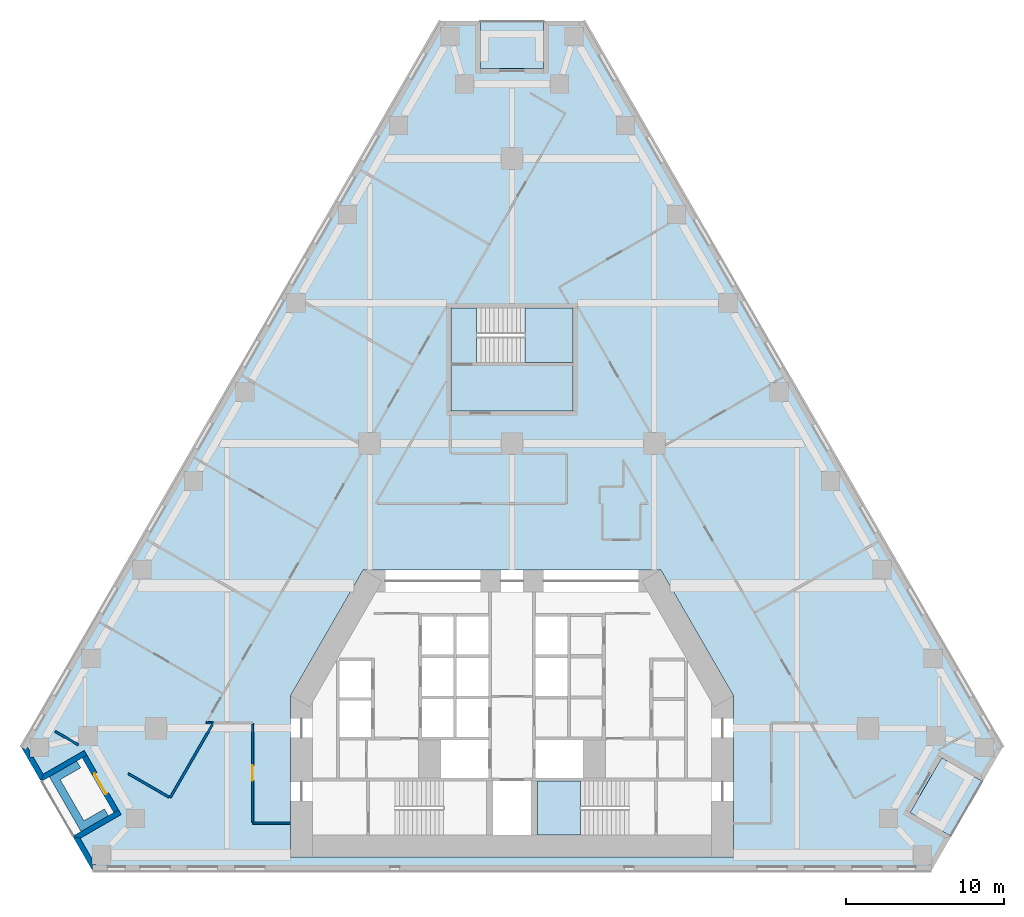
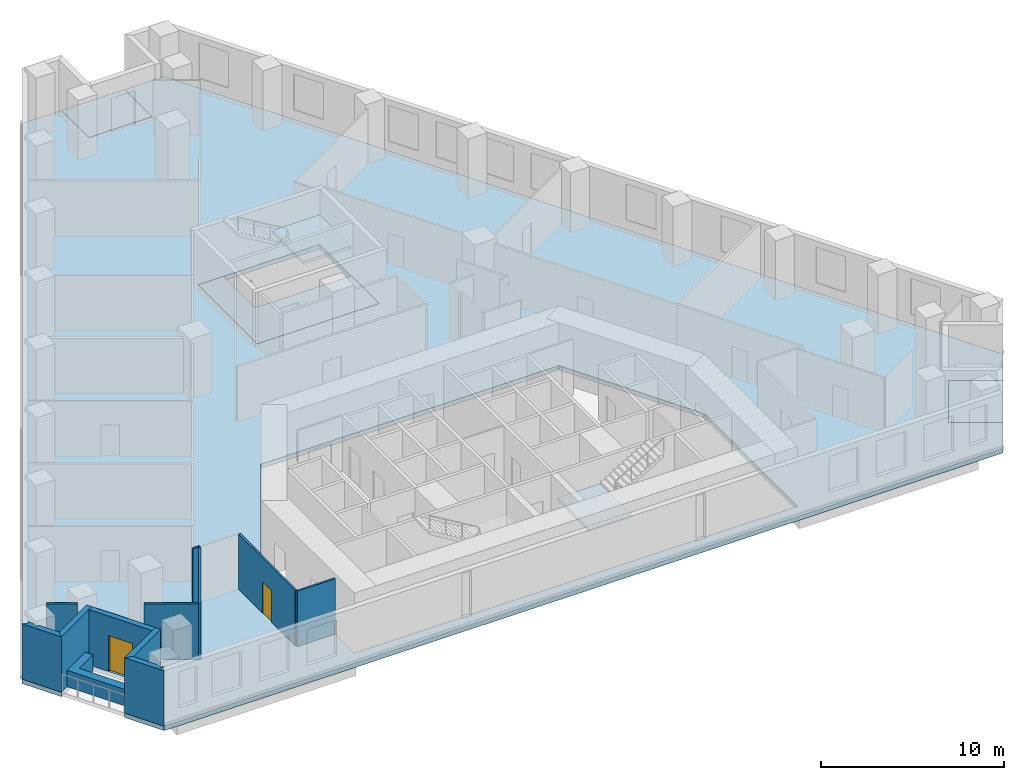
# One storey, part 2 of 9: 12 walls, 6 slabs, 2 doors, 2 openings, 2 elements without a shape of their own.
"""IFC4 building model written with IfcOpenShell, lengths in metres."""

import ifcopenshell
import ifcopenshell.guid

model = None  # the IFC model being written
_history = None  # IfcOwnerHistory: only IFC2X3 demands one
_inside = {}  # id of a spatial element -> (the spatial element, [elements in it])
_under = {}  # id of a project, library or spatial element -> (it, [spatial elements below it])
_declared = {}  # id of a project -> (the project, [libraries it declares])
_typed = {}  # id of a type object -> (the type object, [elements of that type])
_made_of = {}  # id of a material, layer set ... -> (it, [elements and type objects made of it])


def new_model(schema):
    """Start an empty IFC model of exactly this schema.

    Asked for "IFC4X3", IfcOpenShell would pick the latest addendum, in which some entities
    have other attributes; the version numbers below select the first issue.
    IFC2X3 requires an IfcOwnerHistory on every rooted entity: one is made here for all.
    """
    global model, _history
    if schema == "IFC4X3":
        model = ifcopenshell.file(schema_version=(4, 3, 0, 0))
    else:
        model = ifcopenshell.file(schema=schema)
    _inside.clear()
    _under.clear()
    _declared.clear()
    _typed.clear()
    _made_of.clear()
    _history = None
    if model.schema == "IFC2X3":
        org = make("IfcOrganization", Name="unknown")
        user = make(
            "IfcPersonAndOrganization",
            ThePerson=make("IfcPerson", FamilyName="unknown"),
            TheOrganization=org,
        )
        app = make(
            "IfcApplication",
            ApplicationDeveloper=org,
            Version="unknown",
            ApplicationFullName="unknown",
            ApplicationIdentifier="unknown",
        )
        _history = make(
            "IfcOwnerHistory",
            OwningUser=user,
            OwningApplication=app,
            ChangeAction="ADDED",
            CreationDate=0,
        )
    return model


def make(cls, **values):
    """One entity of the class cls with the attributes given. An attribute that is None is left unset."""
    return model.create_entity(
        cls, **{name: value for name, value in values.items() if value is not None}
    )


def rooted(cls, **values):
    """An entity with a GlobalId (a new one), such as an element, a storey or a relation."""
    return make(cls, GlobalId=ifcopenshell.guid.new(), OwnerHistory=_history, **values)


def si_unit(unit_type, name, prefix=None):
    """IfcSIUnit, for example si_unit("LENGTHUNIT", "METRE", prefix="MILLI")."""
    return make("IfcSIUnit", UnitType=unit_type, Prefix=prefix, Name=name)


def assignment(units):
    """IfcUnitAssignment: the units of a project."""
    return None if units is None else make("IfcUnitAssignment", Units=units)


def point(xyz):
    """IfcCartesianPoint."""
    return None if xyz is None else make("IfcCartesianPoint", Coordinates=xyz)


def direction(xyz):
    """IfcDirection."""
    return None if xyz is None else make("IfcDirection", DirectionRatios=xyz)


def frame(location, z_axis=None, x_axis=None):
    """IfcAxis2Placement3D, a coordinate frame: its origin and axes. An axis left out is left unset."""
    return make(
        "IfcAxis2Placement3D",
        Location=point(location),
        Axis=direction(z_axis),
        RefDirection=direction(x_axis),
    )


def frame_2d(location, x_axis=None):
    """IfcAxis2Placement2D, a coordinate frame in the plane: its origin and x axis."""
    return make(
        "IfcAxis2Placement2D", Location=point(location), RefDirection=direction(x_axis)
    )


def origin():
    """The frame at (0, 0, 0) with its axes left unset."""
    return frame((0.0, 0.0, 0.0))


def place(relative_to, where):
    """IfcLocalPlacement: puts the frame where relative to a parent placement (None: the world)."""
    return make(
        "IfcLocalPlacement", PlacementRelTo=relative_to, RelativePlacement=where
    )


def context(
    kind, dimensions, precision=None, world=None, true_north=None, identifier=None
):
    """IfcGeometricRepresentationContext, for example the 3D "Model" context."""
    return make(
        "IfcGeometricRepresentationContext",
        ContextIdentifier=identifier,
        ContextType=kind,
        CoordinateSpaceDimension=dimensions,
        Precision=precision,
        WorldCoordinateSystem=world,
        TrueNorth=true_north,
    )


def subcontext(parent, identifier, kind, view, scale=None):
    """IfcGeometricRepresentationSubContext, for example "Body" below "Model"."""
    return make(
        "IfcGeometricRepresentationSubContext",
        ContextIdentifier=identifier,
        ContextType=kind,
        ParentContext=parent,
        TargetScale=scale,
        TargetView=view,
    )


def project(units=None, contexts=None):
    """IfcProject with its units and contexts."""
    return rooted(
        "IfcProject",
        Name="project",
        RepresentationContexts=contexts,
        UnitsInContext=assignment(units),
    )


def spatial(cls, under=None, at=None, **own):
    """A site, building, storey or space (cls), placed at a placement, below another one or the project."""
    s = rooted(cls, ObjectPlacement=at, **own)
    if under is not None:
        _under.setdefault(under.id(), (under, []))[1].append(s)
    return s


def polyline(points):
    """IfcPolyline through the points."""
    return make("IfcPolyline", Points=[point(p) for p in points])


def profile(cls, at=None, kind="AREA", **sizes):
    """A parametric profile (cls). Its sizes go by their IFC names, for example OverallWidth=200.0."""
    return make(cls, ProfileType=kind, Position=at, **sizes)


def rectangle(**sizes):
    """IfcRectangleProfileDef."""
    return profile("IfcRectangleProfileDef", **sizes)


def outline(outer, holes=None, kind="AREA"):
    """IfcArbitraryClosedProfileDef: a profile drawn as a closed curve; with holes, ...WithVoids."""
    if holes is None:
        return make("IfcArbitraryClosedProfileDef", ProfileType=kind, OuterCurve=outer)
    return make(
        "IfcArbitraryProfileDefWithVoids",
        ProfileType=kind,
        OuterCurve=outer,
        InnerCurves=holes,
    )


def extrude(swept, where, along, depth):
    """IfcExtrudedAreaSolid: the profile swept, set in the frame where, extruded along a direction by depth."""
    return make(
        "IfcExtrudedAreaSolid",
        SweptArea=swept,
        Position=where,
        ExtrudedDirection=direction(along),
        Depth=depth,
    )


def shape(context_of_items, identifier, shape_type, items):
    """IfcShapeRepresentation: the items that make up one representation, for example the "Body"."""
    return make(
        "IfcShapeRepresentation",
        ContextOfItems=context_of_items,
        RepresentationIdentifier=identifier,
        RepresentationType=shape_type,
        Items=items,
    )


def material(Name=None, Category=None):
    """IfcMaterial."""
    return make("IfcMaterial", Name=Name, Category=Category)


def layer(
    of_material, thickness, ventilated=None, Name=None, Category=None, Priority=None
):
    """IfcMaterialLayer: one layer of a wall or slab, of a material (None: an air gap)."""
    return make(
        "IfcMaterialLayer",
        Material=of_material,
        LayerThickness=thickness,
        IsVentilated=ventilated,
        Name=Name,
        Category=Category,
        Priority=Priority,
    )


def layer_set(layers, Name=None):
    """IfcMaterialLayerSet."""
    return make("IfcMaterialLayerSet", MaterialLayers=layers, LayerSetName=Name)


def made_of(thing, what):
    """Note that an element or type object is made of a material, layer set ...; save() writes the relation."""
    if what is not None:
        _made_of.setdefault(what.id(), (what, []))[1].append(thing)
    return thing


def type_object(cls, material=None, **own):
    """A type object (cls), such as IfcWallType, which elements share."""
    return made_of(rooted(cls, **own), material)


def element(
    cls,
    number,
    at=None,
    inside=None,
    cuts=None,
    type_object=None,
    material=None,
    context=None,
    identifier="Body",
    shape_type=None,
    held_by="IfcProductDefinitionShape",
    body=None,
    shapes=None,
    **own,
):
    """One element of the class cls, such as IfcWall. Its Tag is "e" and its number.

    at: its placement. inside: the storey or other place that contains it. cuts: it is an
    opening in that element (IfcRelVoidsElement). A single representation is given by context,
    identifier, shape_type and body (its items); several are given by shapes. held_by: the class
    of the entity that holds the representations. save() writes the other relations.
    """
    e = rooted(cls, Tag="e%d" % number, ObjectPlacement=at, **own)
    if body is not None:
        shapes = [shape(context, identifier, shape_type, body)]
    if shapes is not None:
        e.Representation = make(held_by, Representations=shapes)
    if inside is not None:
        _inside.setdefault(inside.id(), (inside, []))[1].append(e)
    if cuts is not None:
        rooted(
            "IfcRelVoidsElement", RelatingBuildingElement=cuts, RelatedOpeningElement=e
        )
    if type_object is not None:
        _typed.setdefault(type_object.id(), (type_object, []))[1].append(e)
    return made_of(e, material)


def fill(opening, filler):
    """IfcRelFillsElement: the door or window that sits in an opening."""
    return rooted(
        "IfcRelFillsElement",
        RelatingOpeningElement=opening,
        RelatedBuildingElement=filler,
    )


def aggregate(whole, parts):
    """IfcRelAggregates: a whole, such as a stair, and the parts it consists of."""
    return rooted("IfcRelAggregates", RelatingObject=whole, RelatedObjects=parts)


def save(model, path):
    """Write the relations noted so far, then the file.

    IfcRelAggregates (storeys below a building ...), IfcRelContainedInSpatialStructure (elements
    in a storey), IfcRelDefinesByType, IfcRelAssociatesMaterial and IfcRelDeclares: one each for
    every whole, place, type object, material and project.
    """
    for whole, parts in _under.values():
        aggregate(whole, parts)
    for where, things in _inside.values():
        rooted(
            "IfcRelContainedInSpatialStructure",
            RelatedElements=things,
            RelatingStructure=where,
        )
    for kind, things in _typed.values():
        rooted("IfcRelDefinesByType", RelatedObjects=things, RelatingType=kind)
    for what, things in _made_of.values():
        rooted("IfcRelAssociatesMaterial", RelatedObjects=things, RelatingMaterial=what)
    for by, libraries in _declared.values():
        rooted("IfcRelDeclares", RelatingContext=by, RelatedDefinitions=libraries)
    model.write(path)


model = new_model("IFC4")

# Units and contexts
model_context = context("Model", 3, precision=1e-05, world=origin(), true_north=direction((0.0, 1.0)))
body_context = subcontext(model_context, "Body", "Model", "MODEL_VIEW")
ifc_project = project(units=[si_unit("LENGTHUNIT", "METRE"), si_unit("AREAUNIT", "SQUARE_METRE"), si_unit("VOLUMEUNIT", "CUBIC_METRE"), si_unit("PLANEANGLEUNIT", "RADIAN"), si_unit("MASSUNIT", "GRAM", prefix="KILO")], contexts=[model_context])

# Site, building, storey
site_placement = place(None, origin())
site = spatial("IfcSite", under=ifc_project, at=site_placement, CompositionType="ELEMENT")
building_placement = place(site_placement, origin())
building = spatial("IfcBuilding", under=site, at=building_placement, Name="Fogline Exchange Tower", CompositionType="ELEMENT")
storey_placement = place(building_placement, frame((0.0, 0.0, 76.89990234375)))
storey = spatial("IfcBuildingStorey", under=building, at=storey_placement, Name="L16", CompositionType="ELEMENT", Elevation=76.89990234375)

# Slabs
ifc_material_1 = material(Name="Concrete C40", Category="concrete")
ifc_layer_1 = layer(ifc_material_1, 0.25)
ifc_layer_set_1 = layer_set([ifc_layer_1], Name="DK1")
slab_type_1 = type_object("IfcSlabType", Name="DK1", PredefinedType="FLOOR", material=ifc_layer_set_1)
slab_1_placement = place(storey_placement, frame((0.0, 0.0, -0.25)))
element("IfcSlab", 1, at=slab_1_placement, inside=storey, type_object=slab_type_1, Name="Balcony L16 SE", PredefinedType="FLOOR", context=body_context, shape_type="SweptSolid", body=[
    extrude(outline(polyline([(27.760498046875, 2.1650390625), (29.760498046875, 5.629150390625), (27.162353515625, 7.129150390625), (25.162353515625, 3.6650390625), (27.760498046875, 2.1650390625)])), origin(), (0.0, 0.0, 1.0), 0.25),
])
slab_2_placement = place(storey_placement, frame((0.0, 0.0, -0.25)))
element("IfcSlab", 2, at=slab_2_placement, inside=storey, type_object=slab_type_1, Name="Balcony L16 N", PredefinedType="FLOOR", context=body_context, shape_type="SweptSolid", body=[
    extrude(outline(polyline([(2.0, 53.711669921875), (-2.0, 53.711669921875), (-2.0, 50.711669921875), (2.0, 50.711669921875), (2.0, 53.711669921875)])), origin(), (0.0, 0.0, 1.0), 0.25),
])
ifc_layer_2 = layer(ifc_material_1, 0.300048828125)
ifc_layer_set_2 = layer_set([ifc_layer_2], Name="S04")
slab_type_2 = type_object("IfcSlabType", Name="S04", PredefinedType="FLOOR", material=ifc_layer_set_2)
slab_3_placement = place(storey_placement, frame((0.0, 0.0, -0.2998046875)))
element("IfcSlab", 3, at=slab_3_placement, inside=storey, type_object=slab_type_2, Name="SLAB L16", PredefinedType="FLOOR", context=body_context, shape_type="SweptSolid", body=[
    extrude(outline(polyline([(-2.0, 53.711669921875), (-4.5, 53.711669921875), (-31.010498046875, 7.794189453125), (-29.760498046875, 5.629150390625), (-27.162353515625, 7.129150390625), (-25.162353515625, 3.6650390625), (-27.760498046875, 2.1650390625), (-26.510498046875, 0.0), (26.510498046875, 0.0), (27.760498046875, 2.1650390625), (25.162353515625, 3.6650390625), (27.162353515625, 7.129150390625), (29.760498046875, 5.629150390625), (31.010498046875, 7.794189453125), (4.5, 53.711669921875), (2.0, 53.711669921875), (2.0, 50.711669921875), (-2.0, 50.711669921875), (-2.0, 53.711669921875)]), holes=[polyline([(14.0, 11.052490234375), (14.0, 0.85009765625), (-14.0, 0.85009765625), (-14.0, 11.052490234375), (-9.41162109375, 19.0), (9.41162109375, 19.0), (14.0, 11.052490234375)]), polyline([(3.85009765625, 35.556884765625), (3.85009765625, 29.056884765625), (-3.85009765625, 29.056884765625), (-3.85009765625, 35.556884765625), (3.85009765625, 35.556884765625)])]), origin(), (0.0, 0.0, 1.0), 0.2998046875),
])
slab_4_placement = place(storey_placement, frame((0.0, 0.0, -0.2998046875)))
element("IfcSlab", 4, at=slab_4_placement, inside=storey, type_object=slab_type_2, Name="Stair enclosure floor slab", PredefinedType="FLOOR", context=body_context, shape_type="SweptSolid", body=[
    extrude(outline(polyline([(3.85009765625, 29.056884765625), (-3.85009765625, 29.056884765625), (-3.85009765625, 35.556884765625), (-2.239990234375, 35.556884765625), (-2.239990234375, 32.10693359375), (3.85009765625, 32.10693359375), (3.85009765625, 29.056884765625)])), origin(), (0.0, 0.0, 1.0), 0.2998046875),
])

# Stair, slab
stair_type = type_object("IfcStairType", Name="STR24-1667", PredefinedType="HALF_TURN_STAIR", material=ifc_material_1)
stair_1_placement = place(storey_placement, origin())
stair_1 = element("IfcStair", 5, at=stair_1_placement, inside=storey, type_object=stair_type, Name="Stair ST2", PredefinedType="HALF_TURN_STAIR")
ifc_layer_3 = layer(ifc_material_1, 0.199951171875)
ifc_layer_set_3 = layer_set([ifc_layer_3], Name="SL200")
slab_type_3 = type_object("IfcSlabType", Name="SL200", PredefinedType="LANDING", material=ifc_layer_set_3)
slab_5_placement = place(storey_placement, frame((0.0, 0.0, 1.800048828125)))
slab_5 = element("IfcSlab", 6, at=slab_5_placement, type_object=slab_type_3, Name="ST2 landing 1", PredefinedType="LANDING", context=body_context, shape_type="SweptSolid", body=[
    extrude(outline(polyline([(1.60009765625, 2.25), (4.320068359375, 2.25), (4.320068359375, 5.64990234375), (1.60009765625, 5.64990234375), (1.60009765625, 2.25)])), origin(), (0.0, 0.0, 1.0), 0.199951171875),
])
aggregate(stair_1, [slab_5])

stair_2_placement = place(storey_placement, origin())
stair_2 = element("IfcStair", 7, at=stair_2_placement, inside=storey, type_object=stair_type, Name="Stair ST3", PredefinedType="HALF_TURN_STAIR")
slab_6_placement = place(storey_placement, frame((0.0, 0.0, 1.800048828125)))
slab_6 = element("IfcSlab", 8, at=slab_6_placement, type_object=slab_type_3, Name="ST3 landing 1", PredefinedType="LANDING", context=body_context, shape_type="SweptSolid", body=[
    extrude(outline(polyline([(0.830078125, 32.10693359375), (3.85009765625, 32.10693359375), (3.85009765625, 35.556884765625), (0.830078125, 35.556884765625), (0.830078125, 32.10693359375)])), origin(), (0.0, 0.0, 1.0), 0.199951171875),
])
aggregate(stair_2, [slab_6])

# Walls
ifc_material_2 = material(Name="Brick masonry", Category="masonry")
ifc_layer_4 = layer(ifc_material_2, 0.340087890625)
ifc_layer_set_4 = layer_set([ifc_layer_4], Name="FW1")
wall_type_1 = type_object("IfcWallType", Name="FW1", PredefinedType="SOLIDWALL", material=ifc_layer_set_4)
wall_1_placement = place(storey_placement, origin())
element("IfcWall", 9, at=wall_1_placement, inside=storey, type_object=wall_type_1, Name="Brick wall L16 SW-c1", PredefinedType="SOLIDWALL", context=body_context, shape_type="SweptSolid", body=[
    extrude(outline(polyline([(-29.760498046875, 5.6279296875), (-31.011474609375, 7.794921875), (-31.010986328125, 7.79541015625), (-30.71630859375, 7.625), (-30.617919921875, 7.79541015625), (-30.455810546875, 7.5146484375), (-30.455810546875, 7.194091796875), (-30.270751953125, 7.194091796875), (-29.63525390625, 6.09375), (-29.760009765625, 5.6279296875), (-29.760498046875, 5.6279296875)])), origin(), (0.0, 0.0, 1.0), 3.7001953125),
])
wall_2_placement = place(storey_placement, origin())
element("IfcWall", 10, at=wall_2_placement, inside=storey, type_object=wall_type_1, Name="Brick wall L16 SW-s1", PredefinedType="SOLIDWALL", context=body_context, shape_type="SweptSolid", body=[
    extrude(outline(polyline([(-27.03759765625, 7.594482421875), (-26.8671875, 7.298828125), (-27.162109375, 7.128662109375), (-29.760986328125, 5.628173828125), (-29.76123046875, 5.62841796875), (-29.636474609375, 6.093994140625), (-27.03759765625, 7.594482421875)])), origin(), (0.0, 0.0, 1.0), 3.7001953125),
])

# Wall, opening, door
wall_3_placement = place(storey_placement, frame((-27.01513671875, 7.214111328125, 0.0), z_axis=(0.0, 0.0, 1.0), x_axis=(0.49999894854, -0.866026010844, 0.0)))
wall_3 = element("IfcWall", 11, at=wall_3_placement, inside=storey, type_object=wall_type_1, Name="Brick wall L16 SW-bk", PredefinedType="SOLIDWALL", context=body_context, shape_type="SweptSolid", body=[
    extrude(rectangle(XDim=4.0, YDim=0.340087890625, at=frame_2d((2.0, 0.0))), origin(), (0.0, 0.0, 1.0), 3.7001953125),
])
opening_1_placement = place(wall_3_placement, frame((1.25, 0.0, 0.0)))
opening_1 = element("IfcOpeningElement", 12, at=opening_1_placement, cuts=wall_3, Name="Opening T05-E021", PredefinedType="OPENING", context=body_context, shape_type="SweptSolid", body=[
    extrude(rectangle(XDim=1.5, YDim=2.39990234375, at=frame_2d((0.75, 1.199951171875))), frame((0.0, 0.18017578125, 0.0), z_axis=(0.0, -1.0, 0.0), x_axis=(1.0, 0.0, 0.0)), (0.0, 0.0, 1.0), 0.360107421875),
])
ifc_material_3 = material(Name="Aluminium and glass", Category="aluminium")
door_type_1 = type_object("IfcDoorType", Name="ED4", OperationType="SINGLE_SWING_LEFT", PredefinedType="DOOR", material=ifc_material_3)
door_1_placement = place(opening_1_placement, frame((1.5, 0.0, 0.0), z_axis=(0.0, 0.0, 1.0), x_axis=(-1.0, 0.0, 0.0)))
door_1 = element("IfcDoor", 13, at=door_1_placement, inside=storey, type_object=door_type_1, Name="Balcony door L16 SW", OperationType="DOUBLE_DOOR_SINGLE_SWING", OverallHeight=2.39990234375, OverallWidth=1.5, PredefinedType="DOOR", context=body_context, shape_type="SweptSolid", body=[
    extrude(rectangle(XDim=1.5, YDim=2.39990234375, at=frame_2d((0.75, 1.199951171875))), frame((0.0, 0.02490234375, 0.0), z_axis=(0.0, -1.0, 0.0), x_axis=(1.0, 0.0, 0.0)), (0.0, 0.0, 1.0), 0.050048828125),
])
fill(opening_1, door_1)

# Walls
wall_4_placement = place(storey_placement, origin())
element("IfcWall", 14, at=wall_4_placement, inside=storey, type_object=wall_type_1, Name="Brick wall L16 SW-s2", PredefinedType="SOLIDWALL", context=body_context, shape_type="SweptSolid", body=[
    extrude(outline(polyline([(-27.76171875, 2.1650390625), (-25.16259765625, 3.66552734375), (-24.86767578125, 3.8359375), (-24.697021484375, 3.540283203125), (-27.2958984375, 2.0400390625), (-27.76171875, 2.164794921875), (-27.76171875, 2.1650390625)])), origin(), (0.0, 0.0, 1.0), 3.7001953125),
])
wall_5_placement = place(storey_placement, origin())
element("IfcWall", 15, at=wall_5_placement, inside=storey, type_object=wall_type_1, Name="Brick wall L16 SW-c2", PredefinedType="SOLIDWALL", context=body_context, shape_type="SweptSolid", body=[
    extrude(outline(polyline([(-26.533203125, 0.720458984375), (-26.533203125, 0.39990234375), (-26.34814453125, 0.39990234375), (-26.31298828125, 0.33935546875), (-26.509765625, 0.33935546875), (-26.509765625, -0.0009765625), (-26.510498046875, -0.001220703125), (-27.761474609375, 2.165771484375), (-27.76123046875, 2.166015625), (-27.295654296875, 2.041015625), (-26.533203125, 0.720458984375)])), origin(), (0.0, 0.0, 1.0), 3.7001953125),
])
ifc_material_4 = material(Name="Concrete C30", Category="concrete")
ifc_layer_5 = layer(ifc_material_4, 0.199951171875)
ifc_layer_set_5 = layer_set([ifc_layer_5], Name="PL1")
wall_type_2 = type_object("IfcWallType", Name="PL1", PredefinedType="USERDEFINED", material=ifc_layer_set_5)
wall_6_placement = place(storey_placement, origin())
element("IfcWall", 16, at=wall_6_placement, inside=storey, type_object=wall_type_2, Name="PLANTER balcony L16 SW", ObjectType="PLANTER", PredefinedType="USERDEFINED", context=body_context, shape_type="SweptSolid", body=[
    extrude(outline(polyline([(-25.7587890625, 3.898193359375), (-27.057861328125, 3.148193359375), (-28.557861328125, 5.74609375), (-27.2587890625, 6.49609375), (-27.5087890625, 6.92919921875), (-29.24072265625, 5.92919921875), (-28.99072265625, 5.49609375), (-27.24072265625, 2.465087890625), (-26.807861328125, 2.715087890625), (-26.807861328125, 2.715087890625), (-25.5087890625, 3.465087890625), (-25.7587890625, 3.898193359375)])), origin(), (0.0, 0.0, 1.0), 1.10009765625),
])
ifc_material_5 = material(Name="Plasterboard corridor partition with mineral wool, 2 layers each side")
ifc_layer_6 = layer(ifc_material_5, 0.125)
ifc_layer_set_6 = layer_set([ifc_layer_6], Name="PW2")
wall_type_3 = type_object("IfcWallType", Name="PW2", PredefinedType="PARTITIONING", material=ifc_layer_set_6)
wall_7_placement = place(storey_placement, frame((-14.0, 3.0, 0.0), z_axis=(0.0, 0.0, 1.0), x_axis=(-1.0, 0.0, 0.0)))
element("IfcWall", 17, at=wall_7_placement, inside=storey, type_object=wall_type_3, Name="wall-L16-W008", PredefinedType="PARTITIONING", context=body_context, shape_type="SweptSolid", body=[
    extrude(rectangle(XDim=2.39990234375, YDim=0.125, at=frame_2d((1.199951171875, 0.0))), origin(), (0.0, 0.0, 1.0), 3.7001953125),
])

# Wall, opening, door
wall_8_placement = place(storey_placement, frame((-16.39990234375, 3.0625, 0.0), z_axis=(0.0, 0.0, 1.0), x_axis=(0.0, 1.0, 0.0)))
wall_8 = element("IfcWall", 18, at=wall_8_placement, inside=storey, type_object=wall_type_3, Name="wall-L16-W009", PredefinedType="PARTITIONING", context=body_context, shape_type="SweptSolid", body=[
    extrude(rectangle(XDim=6.215087890625, YDim=0.125, at=frame_2d((3.107421875, 0.0))), origin(), (0.0, 0.0, 1.0), 3.7001953125),
])
opening_2_placement = place(wall_8_placement, frame((2.607421875, 0.0, 0.0)))
opening_2 = element("IfcOpeningElement", 19, at=opening_2_placement, cuts=wall_8, Name="Opening T05-D004", PredefinedType="OPENING", context=body_context, shape_type="SweptSolid", body=[
    extrude(rectangle(XDim=1.0, YDim=2.10009765625, at=frame_2d((0.5, 1.050048828125))), frame((0.0, 0.072509765625, 0.0), z_axis=(0.0, -1.0, 0.0), x_axis=(1.0, 0.0, 0.0)), (0.0, 0.0, 1.0), 0.14501953125),
])
ifc_material_6 = material(Name="Fire-rated timber door leaf with steel frame", Category="steel")
door_type_2 = type_object("IfcDoorType", Name="D3", OperationType="SINGLE_SWING_LEFT", PredefinedType="DOOR", material=ifc_material_6)
door_2_placement = place(opening_2_placement, origin())
door_2 = element("IfcDoor", 20, at=door_2_placement, inside=storey, type_object=door_type_2, Name="door-L16-D004", OperationType="SINGLE_SWING_LEFT", OverallHeight=2.10009765625, OverallWidth=1.0, PredefinedType="DOOR", context=body_context, shape_type="SweptSolid", body=[
    extrude(rectangle(XDim=1.0, YDim=2.10009765625, at=frame_2d((0.5, 1.050048828125))), frame((0.0, 0.02490234375, 0.0), z_axis=(0.0, -1.0, 0.0), x_axis=(1.0, 0.0, 0.0)), (0.0, 0.0, 1.0), 0.050048828125),
])
fill(opening_2, door_2)

# Walls
wall_9_placement = place(storey_placement, frame((-18.87109375, 9.340087890625, 0.0), z_axis=(0.0, 0.0, 1.0), x_axis=(-1.0, 0.0, 0.0)))
element("IfcWall", 21, at=wall_9_placement, inside=storey, type_object=wall_type_3, Name="wall-L16-W016", PredefinedType="PARTITIONING", context=body_context, shape_type="SweptSolid", body=[
    extrude(rectangle(XDim=0.4619140625, YDim=0.125, at=frame_2d((0.23095703125, 0.0))), origin(), (0.0, 0.0, 1.0), 3.7001953125),
])
ifc_material_7 = material(Name="Plasterboard demising partition with mineral wool and acoustic board")
ifc_layer_7 = layer(ifc_material_7, 0.14990234375)
ifc_layer_set_7 = layer_set([ifc_layer_7], Name="PW3")
wall_type_4 = type_object("IfcWallType", Name="PW3", PredefinedType="PARTITIONING", material=ifc_layer_set_7)
wall_10_placement = place(storey_placement, frame((-18.92919921875, 9.239501953125, 0.0), z_axis=(0.0, 0.0, 1.0), x_axis=(-0.500020946135, -0.86601331019, 0.0)))
element("IfcWall", 22, at=wall_10_placement, inside=storey, type_object=wall_type_4, Name="wall-L16-W047", PredefinedType="PARTITIONING", context=body_context, shape_type="SweptSolid", body=[
    extrude(rectangle(XDim=5.357177734375, YDim=0.14990234375, at=frame_2d((2.6787109375, 0.0))), origin(), (0.0, 0.0, 1.0), 3.7001953125),
])
wall_11_placement = place(storey_placement, frame((-21.6728515625, 4.6376953125, 0.0), z_axis=(0.0, 0.0, 1.0), x_axis=(-0.866005890814, 0.500033795933, 0.0)))
element("IfcWall", 23, at=wall_11_placement, inside=storey, type_object=wall_type_4, Name="wall-L16-W048", PredefinedType="PARTITIONING", context=body_context, shape_type="SweptSolid", body=[
    extrude(rectangle(XDim=2.986572265625, YDim=0.14990234375, at=frame_2d((1.4931640625, 0.0))), origin(), (0.0, 0.0, 1.0), 3.7001953125),
])
wall_12_placement = place(storey_placement, frame((-27.396240234375, 7.942138671875, 0.0), z_axis=(0.0, 0.0, 1.0), x_axis=(-0.866045800819, 0.499964669636, 0.0)))
element("IfcWall", 24, at=wall_12_placement, inside=storey, type_object=wall_type_4, Name="wall-L16-W049", PredefinedType="PARTITIONING", context=body_context, shape_type="SweptSolid", body=[
    extrude(rectangle(XDim=1.7158203125, YDim=0.14990234375, at=frame_2d((0.85791015625, 0.0))), origin(), (0.0, 0.0, 1.0), 3.7001953125),
])

save(model, "model.ifc")
